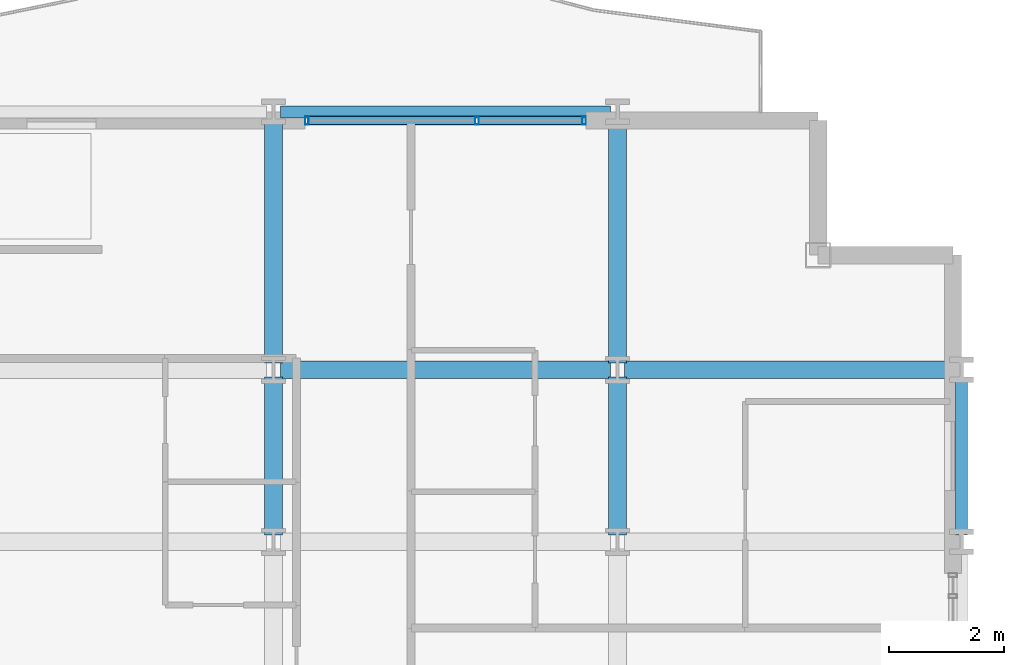
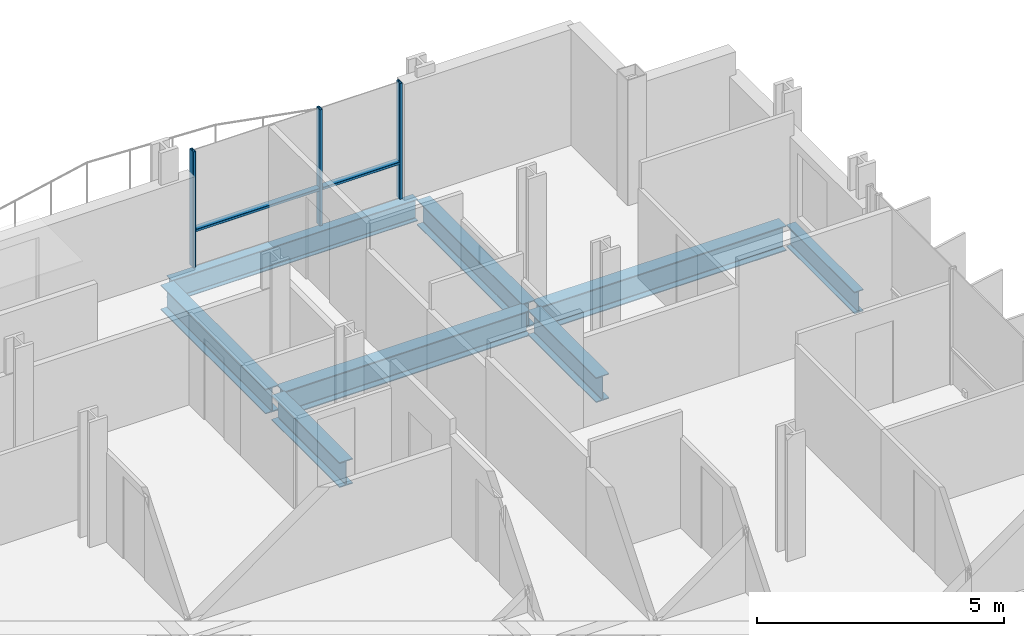
# One storey, part 20 of 38: 8 beams, 5 members, 1 element without a shape of its own.
"""IFC4 building model written with IfcOpenShell, lengths in metres."""

from ifc_helpers import new_model, si_unit, direction, frame, origin, origin_2d, place, context, subcontext, project, spatial, hollow_rectangle, i_section, extrude, material, layer, layer_set, material_profile, profile_set, type_object, element, aggregate, save


model = new_model("IFC4")

# Units and contexts
model_context = context("Model", 3, precision=1e-05, world=origin(), true_north=direction((0.0, 1.0)))
body_context = subcontext(model_context, "Body", "Model", "MODEL_VIEW")
ifc_project = project(units=[si_unit("LENGTHUNIT", "METRE"), si_unit("AREAUNIT", "SQUARE_METRE"), si_unit("VOLUMEUNIT", "CUBIC_METRE"), si_unit("PLANEANGLEUNIT", "RADIAN"), si_unit("MASSUNIT", "GRAM", prefix="KILO")], contexts=[model_context])

# Site, building, storey
site_placement = place(None, origin())
site = spatial("IfcSite", under=ifc_project, at=site_placement, CompositionType="ELEMENT")
building_placement = place(site_placement, origin())
building = spatial("IfcBuilding", under=site, at=building_placement, Name="Brevholm Reach", CompositionType="ELEMENT")
storey_placement = place(building_placement, frame((0.0, 0.0, 59.0)))
storey = spatial("IfcBuildingStorey", under=building, at=storey_placement, Name="L16", CompositionType="ELEMENT", Elevation=59.0)

# Beams
ifc_material_1 = material(Name="Structural Steel S355J2", Category="steel")
ifc_material_profile_1 = material_profile(ifc_material_1, i_section(OverallWidth=0.210693359375, OverallDepth=0.53955078125, WebThickness=0.01171875, FlangeThickness=0.018798828125, FilletRadius=0.0126953125, at=origin_2d()), Name="UKB 533x210x109")
ifc_profile_set_1 = profile_set([ifc_material_profile_1], Name="Structural Steel S355J2")
beam_type_1 = type_object("IfcBeamType", Name="BM-SP539", PredefinedType="SPANDREL", material=ifc_profile_set_1)
beam_1_placement = place(storey_placement, frame((48.1201171875, 31.0, -0.499755859375), z_axis=(1.0, 0.0, 0.0), x_axis=(0.0, 1.0, 0.0)))
element("IfcBeam", 1, at=beam_1_placement, inside=storey, type_object=beam_type_1, Name="L16 SP-01B Framing Beam", PredefinedType="SPANDREL", context=body_context, shape_type="SweptSolid", body=[
    extrude(i_section(OverallWidth=0.210693359375, OverallDepth=0.53955078125, WebThickness=0.01171875, FlangeThickness=0.018798828125, FilletRadius=0.0126953125, at=origin_2d()), origin(), (0.0, 0.0, 1.0), 5.759765625),
])
beam_2_placement = place(storey_placement, frame((60.0, 23.6201171875, -0.499755859375), z_axis=(0.0, 1.0, 0.0), x_axis=(-1.0, 0.0, 0.0)))
element("IfcBeam", 2, at=beam_2_placement, inside=storey, type_object=beam_type_1, Name="L16 SP-01B Framing Beam", PredefinedType="SPANDREL", context=body_context, shape_type="SweptSolid", body=[
    extrude(i_section(OverallWidth=0.210693359375, OverallDepth=0.53955078125, WebThickness=0.01171875, FlangeThickness=0.018798828125, FilletRadius=0.0126953125, at=origin_2d()), origin(), (0.0, 0.0, 1.0), 2.759765625),
])
ifc_material_2 = material(Name="Structural Steel S355J2", Category="steel")
ifc_material_profile_2 = material_profile(ifc_material_2, i_section(OverallWidth=0.30712890625, OverallDepth=0.6201171875, WebThickness=0.01416015625, FlangeThickness=0.023681640625, FilletRadius=0.0166015625, at=origin_2d()), Name="UKB 610x305x179")
ifc_profile_set_2 = profile_set([ifc_material_profile_2], Name="Structural Steel S355J2")
beam_type_2 = type_object("IfcBeamType", Name="BM-UKB610H", PredefinedType="USERDEFINED", material=ifc_profile_set_2)
for number, where, z_axis, x_axis, name in (
    (3, (48.1201171875, 26.5, -0.5400390625), (1.0, 0.0, 0.0), (0.0, 1.0, 0.0), "L16 G-06 Framing Beam"),
    (4, (54.1201171875, 26.5, -0.5400390625), (1.0, 0.0, 0.0), (0.0, 1.0, 0.0), "L16 G-06 Framing Beam"),
):
    element("IfcBeam", number, at=place(storey_placement, frame(where, z_axis=z_axis, x_axis=x_axis)), inside=storey, type_object=beam_type_2, Name=name, ObjectType="GIRDER", PredefinedType="USERDEFINED", context=body_context, shape_type="SweptSolid", body=[
        extrude(i_section(OverallWidth=0.30712890625, OverallDepth=0.6201171875, WebThickness=0.01416015625, FlangeThickness=0.023681640625, FilletRadius=0.0166015625, at=origin_2d()), origin(), (0.0, 0.0, 1.0), 5.759765625),
    ])
beam_3_placement = place(storey_placement, frame((48.0, 23.6201171875, -0.5400390625), z_axis=(0.0, 1.0, 0.0), x_axis=(-1.0, 0.0, 0.0)))
element("IfcBeam", 5, at=beam_3_placement, inside=storey, type_object=beam_type_2, Name="L16 G-06 Framing Beam", ObjectType="GIRDER", PredefinedType="USERDEFINED", context=body_context, shape_type="SweptSolid", body=[
    extrude(i_section(OverallWidth=0.30712890625, OverallDepth=0.6201171875, WebThickness=0.01416015625, FlangeThickness=0.023681640625, FilletRadius=0.0166015625, at=origin_2d()), origin(), (0.0, 0.0, 1.0), 2.759765625),
])
beam_4_placement = place(storey_placement, frame((48.0, 26.6201171875, -0.5400390625), z_axis=(0.0, 1.0, 0.0), x_axis=(-1.0, 0.0, 0.0)))
element("IfcBeam", 6, at=beam_4_placement, inside=storey, type_object=beam_type_2, Name="L16 G-06 Framing Beam", ObjectType="GIRDER", PredefinedType="USERDEFINED", context=body_context, shape_type="SweptSolid", body=[
    extrude(i_section(OverallWidth=0.30712890625, OverallDepth=0.6201171875, WebThickness=0.01416015625, FlangeThickness=0.023681640625, FilletRadius=0.0166015625, at=origin_2d()), origin(), (0.0, 0.0, 1.0), 4.259765625),
])
beam_5_placement = place(storey_placement, frame((54.0, 23.6201171875, -0.5400390625), z_axis=(0.0, 1.0, 0.0), x_axis=(-1.0, 0.0, 0.0)))
element("IfcBeam", 7, at=beam_5_placement, inside=storey, type_object=beam_type_2, Name="L16 G-06 Framing Beam", ObjectType="GIRDER", PredefinedType="USERDEFINED", context=body_context, shape_type="SweptSolid", body=[
    extrude(i_section(OverallWidth=0.30712890625, OverallDepth=0.6201171875, WebThickness=0.01416015625, FlangeThickness=0.023681640625, FilletRadius=0.0166015625, at=origin_2d()), origin(), (0.0, 0.0, 1.0), 2.759765625),
])
beam_6_placement = place(storey_placement, frame((54.0, 26.6201171875, -0.5400390625), z_axis=(0.0, 1.0, 0.0), x_axis=(-1.0, 0.0, 0.0)))
element("IfcBeam", 8, at=beam_6_placement, inside=storey, type_object=beam_type_2, Name="L16 G-06 Framing Beam", ObjectType="GIRDER", PredefinedType="USERDEFINED", context=body_context, shape_type="SweptSolid", body=[
    extrude(i_section(OverallWidth=0.30712890625, OverallDepth=0.6201171875, WebThickness=0.01416015625, FlangeThickness=0.023681640625, FilletRadius=0.0166015625, at=origin_2d()), origin(), (0.0, 0.0, 1.0), 4.259765625),
])

# Curtain wall, members
ifc_material_3 = material(Name="Dark Anodised Aluminium 6063-T6 and Solar-Control Glass", Category="aluminium")
ifc_layer = layer(ifc_material_3, 0.14990234375)
ifc_layer_set = layer_set([ifc_layer], Name="Dark Anodised Aluminium 6063-T6 and Solar-Control Glass")
curtain_wall_type = type_object("IfcCurtainWallType", Name="CW-01", PredefinedType="NOTDEFINED", material=ifc_layer_set)
curtain_wall_placement = place(storey_placement, origin())
curtain_wall = element("IfcCurtainWall", 9, at=curtain_wall_placement, inside=storey, type_object=curtain_wall_type, Name="L16 Curtain Wall CW-01", PredefinedType="NOTDEFINED")
ifc_material_4 = material(Name="Dark Anodised Aluminium 6063-T6", Category="aluminium")
ifc_material_profile_3 = material_profile(ifc_material_4, hollow_rectangle(XDim=0.06494140625, YDim=0.14990234375, WallThickness=0.0048828125, InnerFilletRadius=0.0048828125, OuterFilletRadius=0.010009765625, at=origin_2d()), Name="RHS 150x65x5")
ifc_profile_set_3 = profile_set([ifc_material_profile_3], Name="Dark Anodised Aluminium 6063-T6")
member_type_1 = type_object("IfcMemberType", Name="CWM-150", PredefinedType="MULLION", material=ifc_profile_set_3)
member_1_placement = place(storey_placement, frame((48.58251953125, 30.85009765625, 0.0), z_axis=(0.0, 0.0, 1.0), x_axis=(1.0, 0.0, 0.0)))
member_1 = element("IfcMember", 10, at=member_1_placement, type_object=member_type_1, Name="CM-150 Mullion 1", PredefinedType="MULLION", context=body_context, shape_type="SweptSolid", body=[
    extrude(hollow_rectangle(XDim=0.06494140625, YDim=0.14990234375, WallThickness=0.0048828125, InnerFilletRadius=0.0048828125, OuterFilletRadius=0.010009765625, at=origin_2d()), origin(), (0.0, 0.0, 1.0), 2.8701171875),
])
member_2_placement = place(storey_placement, frame((51.550048828125, 30.85009765625, 0.0), z_axis=(0.0, 0.0, 1.0), x_axis=(1.0, 0.0, 0.0)))
member_2 = element("IfcMember", 11, at=member_2_placement, type_object=member_type_1, Name="CM-150 Mullion 2", PredefinedType="MULLION", context=body_context, shape_type="SweptSolid", body=[
    extrude(hollow_rectangle(XDim=0.06494140625, YDim=0.14990234375, WallThickness=0.0048828125, InnerFilletRadius=0.0048828125, OuterFilletRadius=0.010009765625, at=origin_2d()), origin(), (0.0, 0.0, 1.0), 2.8701171875),
])
member_3_placement = place(storey_placement, frame((53.41748046875, 30.85009765625, 0.0), z_axis=(0.0, 0.0, 1.0), x_axis=(1.0, 0.0, 0.0)))
member_3 = element("IfcMember", 12, at=member_3_placement, type_object=member_type_1, Name="CM-150 Mullion 3", PredefinedType="MULLION", context=body_context, shape_type="SweptSolid", body=[
    extrude(hollow_rectangle(XDim=0.06494140625, YDim=0.14990234375, WallThickness=0.0048828125, InnerFilletRadius=0.0048828125, OuterFilletRadius=0.010009765625, at=origin_2d()), origin(), (0.0, 0.0, 1.0), 2.8701171875),
])
ifc_material_5 = material(Name="Dark Anodised Aluminium 6063-T6", Category="aluminium")
ifc_material_profile_4 = material_profile(ifc_material_5, hollow_rectangle(XDim=0.06494140625, YDim=0.14990234375, WallThickness=0.0048828125, InnerFilletRadius=0.0048828125, OuterFilletRadius=0.010009765625, at=origin_2d()), Name="RHS 150x65x5")
ifc_profile_set_4 = profile_set([ifc_material_profile_4], Name="Dark Anodised Aluminium 6063-T6")
member_type_2 = type_object("IfcMemberType", Name="CWT-150", PredefinedType="NOTDEFINED", material=ifc_profile_set_4)
member_4_placement = place(storey_placement, frame((48.614990234375, 30.85009765625, 0.89990234375), z_axis=(1.0, 0.0, 0.0), x_axis=(0.0, 0.0, 1.0)))
member_4 = element("IfcMember", 13, at=member_4_placement, type_object=member_type_2, Name="CT-150 Transom 1.1", ObjectType="TRANSOM", PredefinedType="USERDEFINED", context=body_context, shape_type="SweptSolid", body=[
    extrude(hollow_rectangle(XDim=0.06494140625, YDim=0.14990234375, WallThickness=0.0048828125, InnerFilletRadius=0.0048828125, OuterFilletRadius=0.010009765625, at=origin_2d()), origin(), (0.0, 0.0, 1.0), 2.902587890625),
])
member_5_placement = place(storey_placement, frame((51.58251953125, 30.85009765625, 0.89990234375), z_axis=(1.0, 0.0, 0.0), x_axis=(0.0, 0.0, 1.0)))
member_5 = element("IfcMember", 14, at=member_5_placement, type_object=member_type_2, Name="CT-150 Transom 2.1", ObjectType="TRANSOM", PredefinedType="USERDEFINED", context=body_context, shape_type="SweptSolid", body=[
    extrude(hollow_rectangle(XDim=0.06494140625, YDim=0.14990234375, WallThickness=0.0048828125, InnerFilletRadius=0.0048828125, OuterFilletRadius=0.010009765625, at=origin_2d()), origin(), (0.0, 0.0, 1.0), 1.802490234375),
])
aggregate(curtain_wall, [member_1, member_2, member_3, member_4, member_5])

save(model, "model.ifc")
